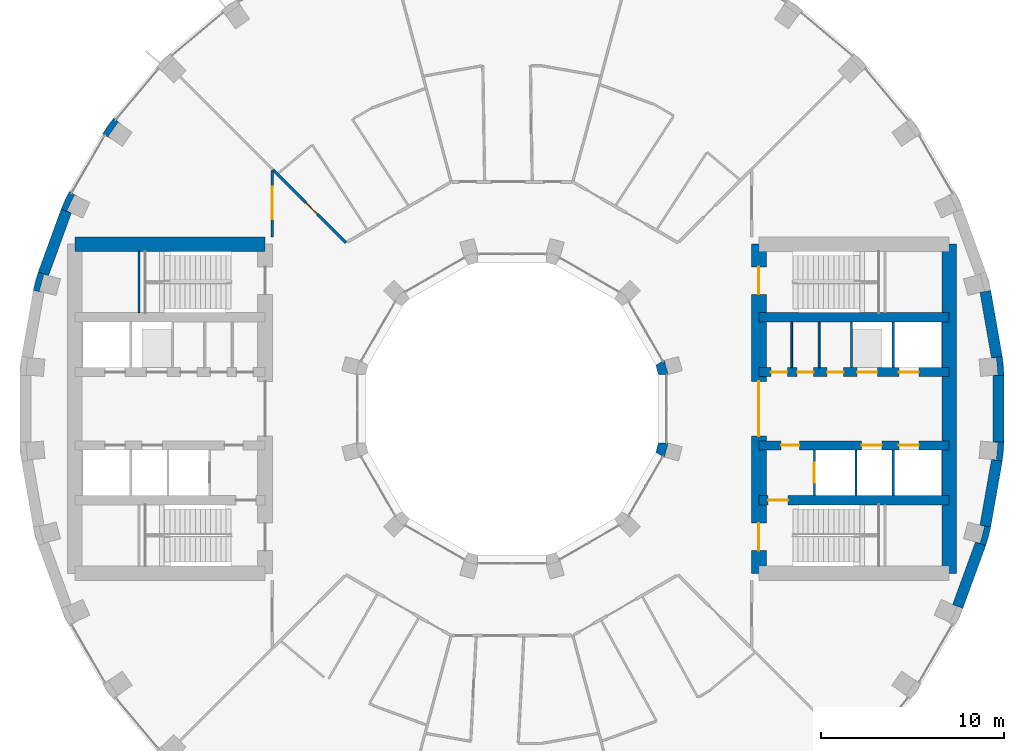
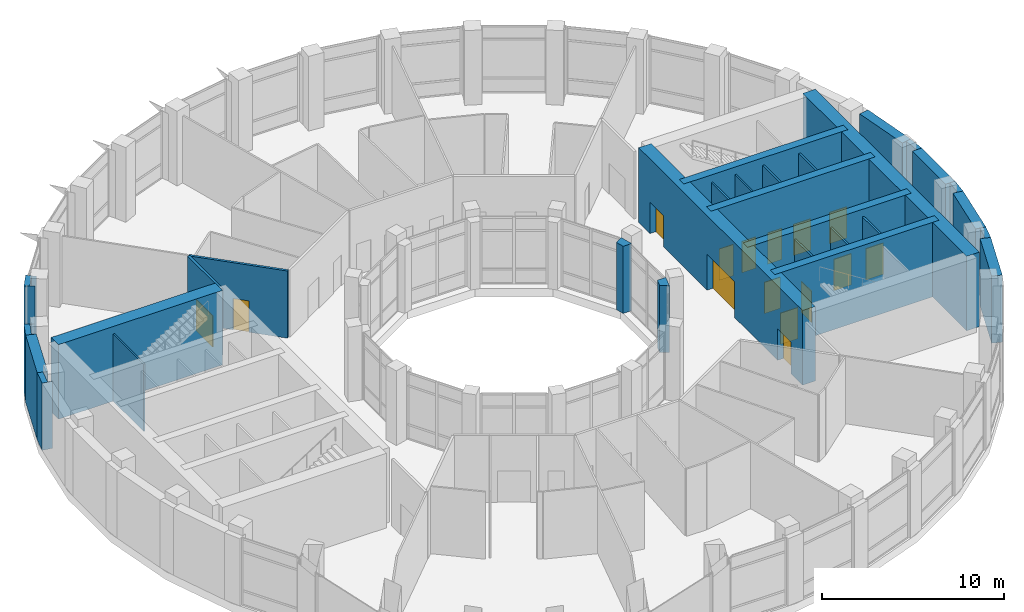
# One storey, part 14 of 18: 30 walls, 15 doors, 15 openings.
"""IFC4 building model written with IfcOpenShell, lengths in metres."""

from ifc_helpers import new_model, si_unit, direction, frame, frame_2d, origin, place, context, subcontext, project, spatial, polyline, rectangle, outline, extrude, material, layer, layer_set, type_object, element, fill, save


model = new_model("IFC4")

# Units and contexts
model_context = context("Model", 3, precision=1e-05, world=origin(), true_north=direction((0.0, 1.0)))
body_context = subcontext(model_context, "Body", "Model", "MODEL_VIEW")
ifc_project = project(units=[si_unit("LENGTHUNIT", "METRE"), si_unit("AREAUNIT", "SQUARE_METRE"), si_unit("VOLUMEUNIT", "CUBIC_METRE"), si_unit("PLANEANGLEUNIT", "RADIAN"), si_unit("MASSUNIT", "GRAM", prefix="KILO")], contexts=[model_context])

# Site, building, storey
site_placement = place(None, origin())
site = spatial("IfcSite", under=ifc_project, at=site_placement, CompositionType="ELEMENT")
building_placement = place(site_placement, origin())
building = spatial("IfcBuilding", under=site, at=building_placement, Name="Saqina Gate Tower", CompositionType="ELEMENT")
storey_placement = place(building_placement, frame((0.0, 0.0, 86.89990234375)))
storey = spatial("IfcBuildingStorey", under=building, at=storey_placement, Name="L24", CompositionType="ELEMENT", Elevation=86.89990234375)

# Walls
ifc_material_1 = material(Name="Brick masonry (buff)", Category="masonry")
wall_type_1 = type_object("IfcWallType", Name="BRICK PIER COPING BUFF", PredefinedType="SOLIDWALL", material=ifc_material_1)
wall_1_placement = place(storey_placement, origin())
element("IfcWall", 1, at=wall_1_placement, inside=storey, type_object=wall_type_1, Name="Pier cap L24 column 1", PredefinedType="SOLIDWALL", context=body_context, shape_type="SweptSolid", body=[
    extrude(outline(polyline([(26.805419921875, 2.87451171875), (26.214599609375, 2.770263671875), (26.482421875, 2.793701171875), (26.565185546875, 1.847412109375), (26.29736328125, 1.823974609375), (26.897216796875, 1.823974609375), (26.805419921875, 2.87451171875)])), origin(), (0.0, 0.0, 1.0), 4.5),
])
wall_2_placement = place(storey_placement, origin())
element("IfcWall", 2, at=wall_2_placement, inside=storey, type_object=wall_type_1, Name="Pier cap L24 column 15", PredefinedType="SOLIDWALL", context=body_context, shape_type="SweptSolid", body=[
    extrude(outline(polyline([(-22.3818359375, 15.0283203125), (-21.862060546875, 14.728271484375), (-22.08251953125, 14.88232421875), (-21.53759765625, 15.66064453125), (-21.317138671875, 15.50634765625), (-21.77685546875, 15.89208984375), (-22.3818359375, 15.0283203125)])), origin(), (0.0, 0.0, 1.0), 4.5),
])
wall_3_placement = place(storey_placement, origin())
element("IfcWall", 3, at=wall_3_placement, inside=storey, type_object=wall_type_1, Name="Pier cap L24 column 16", PredefinedType="SOLIDWALL", context=body_context, shape_type="SweptSolid", body=[
    extrude(outline(polyline([(-24.6513671875, 10.913330078125), (-24.08740234375, 10.7080078125), (-24.331298828125, 10.82177734375), (-23.9296875, 11.6826171875), (-23.68603515625, 11.569091796875), (-24.205810546875, 11.869140625), (-24.6513671875, 10.913330078125)])), origin(), (0.0, 0.0, 1.0), 4.5),
])
wall_4_placement = place(storey_placement, origin())
element("IfcWall", 4, at=wall_4_placement, inside=storey, type_object=wall_type_1, Name="Pier cap L24 column 17", PredefinedType="SOLIDWALL", context=body_context, shape_type="SweptSolid", body=[
    extrude(outline(polyline([(-25.89892578125, 7.485595703125), (-26.171875, 6.466796875), (-25.5810546875, 6.36279296875), (-25.8408203125, 6.43212890625), (-25.5947265625, 7.349853515625), (-25.335205078125, 7.2802734375), (-25.89892578125, 7.485595703125)])), origin(), (0.0, 0.0, 1.0), 4.5),
])
wall_5_placement = place(storey_placement, origin())
element("IfcWall", 5, at=wall_5_placement, inside=storey, type_object=wall_type_1, Name="Pier cap L24 column 35", PredefinedType="SOLIDWALL", context=body_context, shape_type="SweptSolid", body=[
    extrude(outline(polyline([(25.89892578125, -7.485595703125), (26.171875, -6.466796875), (25.5810546875, -6.36279296875), (25.8408203125, -6.43212890625), (25.5947265625, -7.349853515625), (25.335205078125, -7.2802734375), (25.89892578125, -7.485595703125)])), origin(), (0.0, 0.0, 1.0), 4.5),
])
wall_6_placement = place(storey_placement, origin())
element("IfcWall", 6, at=wall_6_placement, inside=storey, type_object=wall_type_1, Name="Pier cap L24 column 36", PredefinedType="SOLIDWALL", context=body_context, shape_type="SweptSolid", body=[
    extrude(outline(polyline([(26.805419921875, -2.87451171875), (26.897216796875, -1.823974609375), (26.29736328125, -1.823974609375), (26.565185546875, -1.847412109375), (26.482421875, -2.793701171875), (26.214599609375, -2.770263671875), (26.805419921875, -2.87451171875)])), origin(), (0.0, 0.0, 1.0), 4.5),
])
ifc_material_2 = material(Name="Gypsum board on steel studs", Category="steel")
ifc_layer_1 = layer(ifc_material_2, 0.10009765625)
ifc_layer_set_1 = layer_set([ifc_layer_1], Name="CORE PARTITION")
wall_type_2 = type_object("IfcWallType", Name="CORE PARTITION", PredefinedType="PARTITIONING", material=ifc_layer_set_1)
for number, where, z_axis, x_axis, name in (
    (7, (15.298095703125, 2.25, 0.0), (0.0, 0.0, 1.0), (0.0, 1.0, 0.0), "L24-CP-E01"),
    (8, (16.789306640625, 2.25, 0.0), (0.0, 0.0, 1.0), (0.0, 1.0, 0.0), "L24-CP-E02"),
):
    element("IfcWall", number, at=place(storey_placement, frame(where, z_axis=z_axis, x_axis=x_axis)), inside=storey, type_object=wall_type_2, Name=name, PredefinedType="PARTITIONING", context=body_context, shape_type="SweptSolid", body=[
        extrude(rectangle(XDim=2.5, YDim=0.10009765625, at=frame_2d((1.25, 0.0))), origin(), (0.0, 0.0, 1.0), 4.5),
    ])
ifc_material_3 = material(Name="Glazed ceramic tile", Category="ceramic")
ifc_layer_2 = layer(ifc_material_3, 0.60009765625)
ifc_layer_set_2 = layer_set([ifc_layer_2], Name="FW-TILE")
wall_type_3 = type_object("IfcWallType", Name="FW-TILE", PredefinedType="SOLIDWALL", material=ifc_layer_set_2)
for number, where, z_axis, x_axis, name in (
    (9, (26.510009765625, 2.822265625, 0.0), (0.0, 0.0, 1.0), (-0.173670796382, 0.984803764455, 0.0), "Facade wall L24 facet 1"),
    (10, (25.87646484375, -6.414794921875, 0.0), (0.0, 0.0, 1.0), (0.173670796382, 0.984803764455, 0.0), "Facade wall L24 facet 35"),
):
    element("IfcWall", number, at=place(storey_placement, frame(where, z_axis=z_axis, x_axis=x_axis)), inside=storey, type_object=wall_type_3, Name=name, PredefinedType="SOLIDWALL", context=body_context, shape_type="SweptSolid", body=[
        extrude(rectangle(XDim=3.64794921875, YDim=0.60009765625, at=frame_2d((1.823974609375, 0.0))), origin(), (0.0, 0.0, 1.0), 4.5),
    ])
ifc_material_4 = material(Name="Glazed ceramic tile (dark blue)", Category="ceramic")
ifc_layer_3 = layer(ifc_material_4, 0.60009765625)
ifc_layer_set_3 = layer_set([ifc_layer_3], Name="FW-TILE-CB")
wall_type_4 = type_object("IfcWallType", Name="FW-TILE-CB", PredefinedType="SOLIDWALL", material=ifc_layer_set_3)
wall_7_placement = place(storey_placement, frame((24.369384765625, -10.810791015625, 0.0), z_axis=(0.0, 0.0, 1.0), x_axis=(0.341990236633, 0.939703505393, 0.0)))
element("IfcWall", 11, at=wall_7_placement, inside=storey, type_object=wall_type_4, Name="Facade wall L24 facet 34", PredefinedType="SOLIDWALL", context=body_context, shape_type="SweptSolid", body=[
    extrude(rectangle(XDim=3.64794921875, YDim=0.60009765625, at=frame_2d((1.823974609375, 0.0))), origin(), (0.0, 0.0, 1.0), 4.5),
])
ifc_material_5 = material(Name="Glazed ceramic tile (white)", Category="ceramic")
ifc_layer_4 = layer(ifc_material_5, 0.60009765625)
ifc_layer_set_4 = layer_set([ifc_layer_4], Name="FW-TILE-WH")
wall_type_5 = type_object("IfcWallType", Name="FW-TILE-WH", PredefinedType="SOLIDWALL", material=ifc_layer_set_4)
for number, where, z_axis, x_axis, name in (
    (12, (-24.369384765625, 10.810791015625, 0.0), (0.0, 0.0, 1.0), (-0.341990236633, -0.939703505393, 0.0), "Facade wall L24 facet 16"),
    (13, (26.59716796875, -1.823974609375, 0.0), (0.0, 0.0, 1.0), (0.0, 1.0, 0.0), "Facade wall L24 facet 36"),
):
    element("IfcWall", number, at=place(storey_placement, frame(where, z_axis=z_axis, x_axis=x_axis)), inside=storey, type_object=wall_type_5, Name=name, PredefinedType="SOLIDWALL", context=body_context, shape_type="SweptSolid", body=[
        extrude(rectangle(XDim=3.64794921875, YDim=0.60009765625, at=frame_2d((1.823974609375, 0.0))), origin(), (0.0, 0.0, 1.0), 4.5),
    ])
ifc_material_6 = material(Name="Autoclaved aerated concrete block", Category="concrete")
ifc_layer_5 = layer(ifc_material_6, 0.1201171875)
ifc_layer_set_5 = layer_set([ifc_layer_5], Name="SHAFT PARTITION")
wall_type_6 = type_object("IfcWallType", Name="SHAFT PARTITION", PredefinedType="PARTITIONING", material=ifc_layer_set_5)
for number, where, z_axis, x_axis, name in (
    (14, (18.56005859375, 2.25, 0.0), (0.0, 0.0, 1.0), (0.0, 1.0, 0.0), "L24-CP-E03"),
    (15, (20.840087890625, 2.25, 0.0), (0.0, 0.0, 1.0), (0.0, 1.0, 0.0), "L24-CP-E04"),
):
    element("IfcWall", number, at=place(storey_placement, frame(where, z_axis=z_axis, x_axis=x_axis)), inside=storey, type_object=wall_type_6, Name=name, PredefinedType="PARTITIONING", context=body_context, shape_type="SweptSolid", body=[
        extrude(rectangle(XDim=2.5, YDim=0.1201171875, at=frame_2d((1.25, 0.0))), origin(), (0.0, 0.0, 1.0), 4.5),
    ])

# Wall, opening, door
wall_8_placement = place(storey_placement, frame((16.530029296875, -4.75, 0.0), z_axis=(0.0, 0.0, 1.0), x_axis=(0.0, 1.0, 0.0)))
wall_8 = element("IfcWall", 16, at=wall_8_placement, inside=storey, type_object=wall_type_6, Name="L24-CP-E05", PredefinedType="PARTITIONING", context=body_context, shape_type="SweptSolid", body=[
    extrude(rectangle(XDim=2.5, YDim=0.1201171875, at=frame_2d((1.25, 0.0))), origin(), (0.0, 0.0, 1.0), 4.5),
])
opening_1_placement = place(wall_8_placement, frame((0.699951171875, 0.0, 0.0)))
opening_1 = element("IfcOpeningElement", 17, at=opening_1_placement, cuts=wall_8, Name="Opening L24-LD3", PredefinedType="OPENING", context=body_context, shape_type="SweptSolid", body=[
    extrude(rectangle(XDim=1.10009765625, YDim=2.10009765625, at=frame_2d((0.550048828125, 1.050048828125))), frame((0.0, 0.072021484375, 0.0), z_axis=(0.0, -1.0, 0.0), x_axis=(1.0, 0.0, 0.0)), (0.0, 0.0, 1.0), 0.14404296875),
])
ifc_material_7 = material(Name="Stainless steel", Category="steel")
door_type_1 = type_object("IfcDoorType", Name="LANDING DOOR", OperationType="DOUBLE_DOOR_SLIDING", PredefinedType="DOOR", material=ifc_material_7)
door_1_placement = place(opening_1_placement, origin())
door_1 = element("IfcDoor", 18, at=door_1_placement, inside=storey, type_object=door_type_1, Name="LANDING DOOR FF1", OperationType="DOUBLE_DOOR_SLIDING", OverallHeight=2.10009765625, OverallWidth=1.10009765625, PredefinedType="DOOR", context=body_context, shape_type="SweptSolid", body=[
    extrude(rectangle(XDim=1.10009765625, YDim=2.10009765625, at=frame_2d((0.550048828125, 1.050048828125))), frame((0.0, 0.02490234375, 0.0), z_axis=(0.0, -1.0, 0.0), x_axis=(1.0, 0.0, 0.0)), (0.0, 0.0, 1.0), 0.050048828125),
])
fill(opening_1, door_1)

# Walls
for number, where, z_axis, x_axis, name in (
    (19, (18.81005859375, -4.75, 0.0), (0.0, 0.0, 1.0), (0.0, 1.0, 0.0), "L24-CP-E06"),
    (20, (20.840087890625, -4.75, 0.0), (0.0, 0.0, 1.0), (0.0, 1.0, 0.0), "L24-CP-E07"),
):
    element("IfcWall", number, at=place(storey_placement, frame(where, z_axis=z_axis, x_axis=x_axis)), inside=storey, type_object=wall_type_6, Name=name, PredefinedType="PARTITIONING", context=body_context, shape_type="SweptSolid", body=[
        extrude(rectangle(XDim=2.5, YDim=0.1201171875, at=frame_2d((1.25, 0.0))), origin(), (0.0, 0.0, 1.0), 4.5),
    ])

# Wall, opening, door
ifc_material_8 = material(Name="Gypsum board on steel studs, 150 mm, fire rated", Category="steel")
ifc_layer_6 = layer(ifc_material_8, 0.14990234375)
ifc_layer_set_6 = layer_set([ifc_layer_6], Name="SPECIAL PARTITION EI 30 150")
wall_type_7 = type_object("IfcWallType", Name="SPECIAL PARTITION EI 30 150", PredefinedType="PARTITIONING", material=ifc_layer_set_6)
wall_9_placement = place(storey_placement, frame((-13.064697265625, 13.064697265625, 0.0), z_axis=(0.0, 0.0, 1.0), x_axis=(0.707106781187, -0.707106781187, 0.0)))
wall_9 = element("IfcWall", 21, at=wall_9_placement, inside=storey, type_object=wall_type_7, Name="PARTITION 011", PredefinedType="PARTITIONING", context=body_context, shape_type="SweptSolid", body=[
    extrude(rectangle(XDim=5.6396484375, YDim=0.14990234375, at=frame_2d((2.81982421875, 0.0))), origin(), (0.0, 0.0, 1.0), 4.5),
])
opening_2_placement = place(wall_9_placement, frame((2.537109375, 0.0, 0.0)))
opening_2 = element("IfcOpeningElement", 22, at=opening_2_placement, cuts=wall_9, Name="Opening L24-D11", PredefinedType="OPENING", context=body_context, shape_type="SweptSolid", body=[
    extrude(rectangle(XDim=0.89990234375, YDim=2.10009765625, at=frame_2d((0.449951171875, 1.050048828125))), frame((0.0, 0.0869140625, 0.0), z_axis=(0.0, -1.0, 0.0), x_axis=(1.0, 0.0, 0.0)), (0.0, 0.0, 1.0), 0.173828125),
])
ifc_material_9 = material(Name="Steel-framed fire door leaf, EI 30", Category="steel")
door_type_2 = type_object("IfcDoorType", Name="SPECIAL DOOR 900 FIRE EI 30", OperationType="SINGLE_SWING_LEFT", PredefinedType="DOOR", material=ifc_material_9)
door_2_placement = place(opening_2_placement, origin())
door_2 = element("IfcDoor", 23, at=door_2_placement, inside=storey, type_object=door_type_2, Name="DOOR L24-D11", OperationType="SINGLE_SWING_RIGHT", OverallHeight=2.10009765625, OverallWidth=0.89990234375, PredefinedType="DOOR", context=body_context, shape_type="SweptSolid", body=[
    extrude(rectangle(XDim=0.89990234375, YDim=2.10009765625, at=frame_2d((0.449951171875, 1.050048828125))), frame((0.0, 0.02490234375, 0.0), z_axis=(0.0, -1.0, 0.0), x_axis=(1.0, 0.0, 0.0)), (0.0, 0.0, 1.0), 0.050048828125),
])
fill(opening_2, door_2)

wall_10_placement = place(storey_placement, frame((-13.10009765625, 9.39990234375, 0.0), z_axis=(0.0, 0.0, 1.0), x_axis=(0.0, 1.0, 0.0)))
wall_10 = element("IfcWall", 24, at=wall_10_placement, inside=storey, type_object=wall_type_7, Name="PARTITION 052", PredefinedType="PARTITIONING", context=body_context, shape_type="SweptSolid", body=[
    extrude(rectangle(XDim=3.625, YDim=0.14990234375, at=frame_2d((1.8125, 0.0))), origin(), (0.0, 0.0, 1.0), 4.5),
])
opening_3_placement = place(wall_10_placement, frame((0.949951171875, 0.0, 0.0)))
opening_3 = element("IfcOpeningElement", 25, at=opening_3_placement, cuts=wall_10, Name="Opening L24-D12", PredefinedType="OPENING", context=body_context, shape_type="SweptSolid", body=[
    extrude(rectangle(XDim=1.800048828125, YDim=2.10009765625, at=frame_2d((0.89990234375, 1.050048828125))), frame((0.0, 0.0869140625, 0.0), z_axis=(0.0, -1.0, 0.0), x_axis=(1.0, 0.0, 0.0)), (0.0, 0.0, 1.0), 0.173828125),
])
ifc_material_10 = material(Name="Steel-framed fire door leaf, EI 30", Category="steel")
door_type_3 = type_object("IfcDoorType", Name="SPECIAL DOUBLE DOOR 1800 FIRE EI 30", OperationType="DOUBLE_DOOR_SINGLE_SWING", PredefinedType="DOOR", material=ifc_material_10)
door_3_placement = place(opening_3_placement, origin())
door_3 = element("IfcDoor", 26, at=door_3_placement, inside=storey, type_object=door_type_3, Name="DOOR L24-D12", OperationType="DOUBLE_DOOR_SINGLE_SWING", OverallHeight=2.10009765625, OverallWidth=1.800048828125, PredefinedType="DOOR", context=body_context, shape_type="SweptSolid", body=[
    extrude(rectangle(XDim=1.800048828125, YDim=2.10009765625, at=frame_2d((0.89990234375, 1.050048828125))), frame((0.0, 0.02490234375, 0.0), z_axis=(0.0, -1.0, 0.0), x_axis=(1.0, 0.0, 0.0)), (0.0, 0.0, 1.0), 0.050048828125),
])
fill(opening_3, door_3)

# Walls
ifc_material_11 = material(Name="Autoclaved aerated concrete block", Category="concrete")
ifc_layer_7 = layer(ifc_material_11, 0.10009765625)
ifc_layer_set_7 = layer_set([ifc_layer_7], Name="STAIR ENCLOSURE WALL")
wall_type_8 = type_object("IfcWallType", Name="STAIR ENCLOSURE WALL", PredefinedType="PARTITIONING", material=ifc_layer_set_7)
wall_11_placement = place(storey_placement, frame((-20.389892578125, 5.25, 0.0), z_axis=(0.0, 0.0, 1.0), x_axis=(0.0, 1.0, 0.0)))
element("IfcWall", 27, at=wall_11_placement, inside=storey, type_object=wall_type_8, Name="L24-CP-W08", PredefinedType="PARTITIONING", context=body_context, shape_type="SweptSolid", body=[
    extrude(rectangle(XDim=3.35009765625, YDim=0.10009765625, at=frame_2d((1.675048828125, 0.0))), origin(), (0.0, 0.0, 1.0), 4.5),
])
ifc_material_12 = material(Name="Concrete C70/85", Category="concrete")
ifc_layer_8 = layer(ifc_material_12, 0.5)
ifc_layer_set_8 = layer_set([ifc_layer_8], Name="Concrete C70/85")
wall_type_9 = type_object("IfcWallType", Name="STR-CORE WALL-B-I", PredefinedType="SHEAR", material=ifc_layer_set_8)
wall_12_placement = place(storey_placement, frame((13.5, 5.0, 0.0), z_axis=(0.0, 0.0, 1.0), x_axis=(1.0, 0.0, 0.0)))
element("IfcWall", 28, at=wall_12_placement, inside=storey, type_object=wall_type_9, Name="CORE WALL L24 E-X1", PredefinedType="SHEAR", context=body_context, shape_type="SweptSolid", body=[
    extrude(rectangle(XDim=10.39990234375, YDim=0.5, at=frame_2d((5.199951171875, 0.0))), origin(), (0.0, 0.0, 1.0), 5.0),
])

# Wall, opening, door
wall_13_placement = place(storey_placement, frame((13.5, -5.0, 0.0), z_axis=(0.0, 0.0, 1.0), x_axis=(1.0, 0.0, 0.0)))
wall_13 = element("IfcWall", 29, at=wall_13_placement, inside=storey, type_object=wall_type_9, Name="CORE WALL L24 E-X2", PredefinedType="SHEAR", context=body_context, shape_type="SweptSolid", body=[
    extrude(rectangle(XDim=10.39990234375, YDim=0.5, at=frame_2d((5.199951171875, 0.0))), origin(), (0.0, 0.0, 1.0), 5.0),
])
opening_4_placement = place(wall_13_placement, frame((0.5, 0.0, 0.0)))
opening_4 = element("IfcOpeningElement", 30, at=opening_4_placement, cuts=wall_13, Name="Opening L24-D94", PredefinedType="OPENING", context=body_context, shape_type="SweptSolid", body=[
    extrude(rectangle(XDim=1.10009765625, YDim=2.10009765625, at=frame_2d((0.550048828125, 1.050048828125))), frame((0.0, 0.261962890625, 0.0), z_axis=(0.0, -1.0, 0.0), x_axis=(1.0, 0.0, 0.0)), (0.0, 0.0, 1.0), 0.52392578125),
])
ifc_material_13 = material(Name="Steel", Category="steel")
door_type_4 = type_object("IfcDoorType", Name="FIRE LOBBY DOOR EI 60 WIDE", OperationType="SINGLE_SWING_LEFT", PredefinedType="DOOR", material=ifc_material_13)
door_4_placement = place(opening_4_placement, frame((1.10009765625, 0.0, 0.0), z_axis=(0.0, 0.0, 1.0), x_axis=(-1.0, 0.0, 0.0)))
door_4 = element("IfcDoor", 31, at=door_4_placement, inside=storey, type_object=door_type_4, Name="L24-CD-E05", OperationType="SINGLE_SWING_RIGHT", OverallHeight=2.10009765625, OverallWidth=1.10009765625, PredefinedType="DOOR", context=body_context, shape_type="SweptSolid", body=[
    extrude(rectangle(XDim=1.10009765625, YDim=2.10009765625, at=frame_2d((0.550048828125, 1.050048828125))), frame((0.0, 0.02490234375, 0.0), z_axis=(0.0, -1.0, 0.0), x_axis=(1.0, 0.0, 0.0)), (0.0, 0.0, 1.0), 0.050048828125),
])
fill(opening_4, door_4)

# Wall, openings, doors
wall_14_placement = place(storey_placement, frame((13.5, 2.0, 0.0), z_axis=(0.0, 0.0, 1.0), x_axis=(1.0, 0.0, 0.0)))
wall_14 = element("IfcWall", 32, at=wall_14_placement, inside=storey, type_object=wall_type_9, Name="CORE WALL L24 E-L1", PredefinedType="SHEAR", context=body_context, shape_type="SweptSolid", body=[
    extrude(rectangle(XDim=10.39990234375, YDim=0.5, at=frame_2d((5.199951171875, 0.0))), origin(), (0.0, 0.0, 1.0), 5.0),
])
opening_5_placement = place(wall_14_placement, frame((5.3701171875, 0.0, 0.0)))
opening_5 = element("IfcOpeningElement", 33, at=opening_5_placement, cuts=wall_14, Name="Opening L24-LD1", PredefinedType="OPENING", context=body_context, shape_type="SweptSolid", body=[
    extrude(rectangle(XDim=1.10009765625, YDim=2.10009765625, at=frame_2d((0.550048828125, 1.050048828125))), frame((0.0, 0.261962890625, 0.0), z_axis=(0.0, -1.0, 0.0), x_axis=(1.0, 0.0, 0.0)), (0.0, 0.0, 1.0), 0.52392578125),
])
opening_6_placement = place(wall_14_placement, frame((7.64990234375, 0.0, 0.0)))
opening_6 = element("IfcOpeningElement", 34, at=opening_6_placement, cuts=wall_14, Name="Opening L24-LD2", PredefinedType="OPENING", context=body_context, shape_type="SweptSolid", body=[
    extrude(rectangle(XDim=1.10009765625, YDim=2.10009765625, at=frame_2d((0.550048828125, 1.050048828125))), frame((0.0, 0.261962890625, 0.0), z_axis=(0.0, -1.0, 0.0), x_axis=(1.0, 0.0, 0.0)), (0.0, 0.0, 1.0), 0.52392578125),
])
opening_7_placement = place(wall_14_placement, frame((0.64892578125, 0.0, 0.0)))
opening_7 = element("IfcOpeningElement", 35, at=opening_7_placement, cuts=wall_14, Name="Opening L24-D90", PredefinedType="OPENING", context=body_context, shape_type="SweptSolid", body=[
    extrude(rectangle(XDim=0.89990234375, YDim=2.10009765625, at=frame_2d((0.449951171875, 1.050048828125))), frame((0.0, 0.261962890625, 0.0), z_axis=(0.0, -1.0, 0.0), x_axis=(1.0, 0.0, 0.0)), (0.0, 0.0, 1.0), 0.52392578125),
])
opening_8_placement = place(wall_14_placement, frame((2.093505859375, 0.0, 0.0)))
opening_8 = element("IfcOpeningElement", 36, at=opening_8_placement, cuts=wall_14, Name="Opening L24-D91", PredefinedType="OPENING", context=body_context, shape_type="SweptSolid", body=[
    extrude(rectangle(XDim=0.89990234375, YDim=2.10009765625, at=frame_2d((0.449951171875, 1.050048828125))), frame((0.0, 0.261962890625, 0.0), z_axis=(0.0, -1.0, 0.0), x_axis=(1.0, 0.0, 0.0)), (0.0, 0.0, 1.0), 0.52392578125),
])
opening_9_placement = place(wall_14_placement, frame((3.724609375, 0.0, 0.0)))
opening_9 = element("IfcOpeningElement", 37, at=opening_9_placement, cuts=wall_14, Name="Opening L24-D92", PredefinedType="OPENING", context=body_context, shape_type="SweptSolid", body=[
    extrude(rectangle(XDim=0.89990234375, YDim=2.10009765625, at=frame_2d((0.449951171875, 1.050048828125))), frame((0.0, 0.261962890625, 0.0), z_axis=(0.0, -1.0, 0.0), x_axis=(1.0, 0.0, 0.0)), (0.0, 0.0, 1.0), 0.52392578125),
])
door_5_placement = place(opening_5_placement, origin())
door_5 = element("IfcDoor", 38, at=door_5_placement, inside=storey, type_object=door_type_1, Name="LANDING DOOR MR1", OperationType="DOUBLE_DOOR_SLIDING", OverallHeight=2.10009765625, OverallWidth=1.10009765625, PredefinedType="DOOR", context=body_context, shape_type="SweptSolid", body=[
    extrude(rectangle(XDim=1.10009765625, YDim=2.10009765625, at=frame_2d((0.550048828125, 1.050048828125))), frame((0.0, 0.02490234375, 0.0), z_axis=(0.0, -1.0, 0.0), x_axis=(1.0, 0.0, 0.0)), (0.0, 0.0, 1.0), 0.050048828125),
])
fill(opening_5, door_5)
door_6_placement = place(opening_6_placement, origin())
door_6 = element("IfcDoor", 39, at=door_6_placement, inside=storey, type_object=door_type_1, Name="LANDING DOOR LR1", OperationType="DOUBLE_DOOR_SLIDING", OverallHeight=2.10009765625, OverallWidth=1.10009765625, PredefinedType="DOOR", context=body_context, shape_type="SweptSolid", body=[
    extrude(rectangle(XDim=1.10009765625, YDim=2.10009765625, at=frame_2d((0.550048828125, 1.050048828125))), frame((0.0, 0.02490234375, 0.0), z_axis=(0.0, -1.0, 0.0), x_axis=(1.0, 0.0, 0.0)), (0.0, 0.0, 1.0), 0.050048828125),
])
fill(opening_6, door_6)
ifc_material_14 = material(Name="Steel-framed fire door leaf, EI 60", Category="steel")
door_type_5 = type_object("IfcDoorType", Name="SERVICE ROOM DOOR 900", OperationType="SINGLE_SWING_LEFT", PredefinedType="DOOR", material=ifc_material_14)
door_7_placement = place(opening_7_placement, origin())
door_7 = element("IfcDoor", 40, at=door_7_placement, inside=storey, type_object=door_type_5, Name="L24-CD-E01", OperationType="SINGLE_SWING_LEFT", OverallHeight=2.10009765625, OverallWidth=0.89990234375, PredefinedType="DOOR", context=body_context, shape_type="SweptSolid", body=[
    extrude(rectangle(XDim=0.89990234375, YDim=2.10009765625, at=frame_2d((0.449951171875, 1.050048828125))), frame((0.0, 0.02490234375, 0.0), z_axis=(0.0, -1.0, 0.0), x_axis=(1.0, 0.0, 0.0)), (0.0, 0.0, 1.0), 0.050048828125),
])
fill(opening_7, door_7)
door_8_placement = place(opening_8_placement, origin())
door_8 = element("IfcDoor", 41, at=door_8_placement, inside=storey, type_object=door_type_5, Name="L24-CD-E02", OperationType="SINGLE_SWING_LEFT", OverallHeight=2.10009765625, OverallWidth=0.89990234375, PredefinedType="DOOR", context=body_context, shape_type="SweptSolid", body=[
    extrude(rectangle(XDim=0.89990234375, YDim=2.10009765625, at=frame_2d((0.449951171875, 1.050048828125))), frame((0.0, 0.02490234375, 0.0), z_axis=(0.0, -1.0, 0.0), x_axis=(1.0, 0.0, 0.0)), (0.0, 0.0, 1.0), 0.050048828125),
])
fill(opening_8, door_8)
door_9_placement = place(opening_9_placement, origin())
door_9 = element("IfcDoor", 42, at=door_9_placement, inside=storey, type_object=door_type_5, Name="L24-CD-E03", OperationType="SINGLE_SWING_RIGHT", OverallHeight=2.10009765625, OverallWidth=0.89990234375, PredefinedType="DOOR", context=body_context, shape_type="SweptSolid", body=[
    extrude(rectangle(XDim=0.89990234375, YDim=2.10009765625, at=frame_2d((0.449951171875, 1.050048828125))), frame((0.0, 0.02490234375, 0.0), z_axis=(0.0, -1.0, 0.0), x_axis=(1.0, 0.0, 0.0)), (0.0, 0.0, 1.0), 0.050048828125),
])
fill(opening_9, door_9)

wall_15_placement = place(storey_placement, frame((13.5, -2.0, 0.0), z_axis=(0.0, 0.0, 1.0), x_axis=(1.0, 0.0, 0.0)))
wall_15 = element("IfcWall", 43, at=wall_15_placement, inside=storey, type_object=wall_type_9, Name="CORE WALL L24 E-L2", PredefinedType="SHEAR", context=body_context, shape_type="SweptSolid", body=[
    extrude(rectangle(XDim=10.39990234375, YDim=0.5, at=frame_2d((5.199951171875, 0.0))), origin(), (0.0, 0.0, 1.0), 5.0),
])
opening_10_placement = place(wall_15_placement, frame((5.6201171875, 0.0, 0.0)))
opening_10 = element("IfcOpeningElement", 44, at=opening_10_placement, cuts=wall_15, Name="Opening L24-LD4", PredefinedType="OPENING", context=body_context, shape_type="SweptSolid", body=[
    extrude(rectangle(XDim=1.10009765625, YDim=2.10009765625, at=frame_2d((0.550048828125, 1.050048828125))), frame((0.0, 0.261962890625, 0.0), z_axis=(0.0, -1.0, 0.0), x_axis=(1.0, 0.0, 0.0)), (0.0, 0.0, 1.0), 0.52392578125),
])
opening_11_placement = place(wall_15_placement, frame((7.64990234375, 0.0, 0.0)))
opening_11 = element("IfcOpeningElement", 45, at=opening_11_placement, cuts=wall_15, Name="Opening L24-LD5", PredefinedType="OPENING", context=body_context, shape_type="SweptSolid", body=[
    extrude(rectangle(XDim=1.10009765625, YDim=2.10009765625, at=frame_2d((0.550048828125, 1.050048828125))), frame((0.0, 0.261962890625, 0.0), z_axis=(0.0, -1.0, 0.0), x_axis=(1.0, 0.0, 0.0)), (0.0, 0.0, 1.0), 0.52392578125),
])
opening_12_placement = place(wall_15_placement, frame((1.215087890625, 0.0, 0.0)))
opening_12 = element("IfcOpeningElement", 46, at=opening_12_placement, cuts=wall_15, Name="Opening L24-D93", PredefinedType="OPENING", context=body_context, shape_type="SweptSolid", body=[
    extrude(rectangle(XDim=1.0, YDim=2.10009765625, at=frame_2d((0.5, 1.050048828125))), frame((0.0, 0.261962890625, 0.0), z_axis=(0.0, -1.0, 0.0), x_axis=(1.0, 0.0, 0.0)), (0.0, 0.0, 1.0), 0.52392578125),
])
ifc_material_15 = material(Name="Steel", Category="steel")
door_type_6 = type_object("IfcDoorType", Name="FIRE LOBBY DOOR EI 60", OperationType="SINGLE_SWING_LEFT", PredefinedType="DOOR", material=ifc_material_15)
door_10_placement = place(opening_12_placement, origin())
door_10 = element("IfcDoor", 47, at=door_10_placement, inside=storey, type_object=door_type_6, Name="L24-CD-E04", OperationType="SINGLE_SWING_LEFT", OverallHeight=2.10009765625, OverallWidth=1.0, PredefinedType="DOOR", context=body_context, shape_type="SweptSolid", body=[
    extrude(rectangle(XDim=1.0, YDim=2.10009765625, at=frame_2d((0.5, 1.050048828125))), frame((0.0, 0.02490234375, 0.0), z_axis=(0.0, -1.0, 0.0), x_axis=(1.0, 0.0, 0.0)), (0.0, 0.0, 1.0), 0.050048828125),
])
fill(opening_12, door_10)
door_11_placement = place(opening_10_placement, origin())
door_11 = element("IfcDoor", 48, at=door_11_placement, inside=storey, type_object=door_type_1, Name="LANDING DOOR LR3", OperationType="DOUBLE_DOOR_SLIDING", OverallHeight=2.10009765625, OverallWidth=1.10009765625, PredefinedType="DOOR", context=body_context, shape_type="SweptSolid", body=[
    extrude(rectangle(XDim=1.10009765625, YDim=2.10009765625, at=frame_2d((0.550048828125, 1.050048828125))), frame((0.0, 0.02490234375, 0.0), z_axis=(0.0, -1.0, 0.0), x_axis=(1.0, 0.0, 0.0)), (0.0, 0.0, 1.0), 0.050048828125),
])
fill(opening_10, door_11)
door_12_placement = place(opening_11_placement, origin())
door_12 = element("IfcDoor", 49, at=door_12_placement, inside=storey, type_object=door_type_1, Name="LANDING DOOR LR2", OperationType="DOUBLE_DOOR_SLIDING", OverallHeight=2.10009765625, OverallWidth=1.10009765625, PredefinedType="DOOR", context=body_context, shape_type="SweptSolid", body=[
    extrude(rectangle(XDim=1.10009765625, YDim=2.10009765625, at=frame_2d((0.550048828125, 1.050048828125))), frame((0.0, 0.02490234375, 0.0), z_axis=(0.0, -1.0, 0.0), x_axis=(1.0, 0.0, 0.0)), (0.0, 0.0, 1.0), 0.050048828125),
])
fill(opening_11, door_12)

ifc_material_16 = material(Name="Concrete C70/85", Category="concrete")
ifc_layer_9 = layer(ifc_material_16, 0.800048828125)
ifc_layer_set_9 = layer_set([ifc_layer_9], Name="Concrete C70/85")
wall_type_10 = type_object("IfcWallType", Name="STR-CORE WALL-B-O", PredefinedType="SHEAR", material=ifc_layer_set_9)
wall_16_placement = place(storey_placement, frame((13.5, -9.0, 0.0), z_axis=(0.0, 0.0, 1.0), x_axis=(0.0, 1.0, 0.0)))
wall_16 = element("IfcWall", 50, at=wall_16_placement, inside=storey, type_object=wall_type_10, Name="CORE WALL L24 E-W1", PredefinedType="SHEAR", context=body_context, shape_type="SweptSolid", body=[
    extrude(rectangle(XDim=18.0, YDim=0.800048828125, at=frame_2d((9.0, 0.0))), origin(), (0.0, 0.0, 1.0), 5.0),
])
opening_13_placement = place(wall_16_placement, frame((15.25, 0.0, 0.0)))
opening_13 = element("IfcOpeningElement", 51, at=opening_13_placement, cuts=wall_16, Name="Opening L24-D95", PredefinedType="OPENING", context=body_context, shape_type="SweptSolid", body=[
    extrude(rectangle(XDim=1.5, YDim=2.10009765625, at=frame_2d((0.75, 1.050048828125))), frame((0.0, 0.412109375, 0.0), z_axis=(0.0, -1.0, 0.0), x_axis=(1.0, 0.0, 0.0)), (0.0, 0.0, 1.0), 0.823974609375),
])
opening_14_placement = place(wall_16_placement, frame((1.25, 0.0, 0.0)))
opening_14 = element("IfcOpeningElement", 52, at=opening_14_placement, cuts=wall_16, Name="Opening L24-D96", PredefinedType="OPENING", context=body_context, shape_type="SweptSolid", body=[
    extrude(rectangle(XDim=1.5, YDim=2.10009765625, at=frame_2d((0.75, 1.050048828125))), frame((0.0, 0.412109375, 0.0), z_axis=(0.0, -1.0, 0.0), x_axis=(1.0, 0.0, 0.0)), (0.0, 0.0, 1.0), 0.823974609375),
])
opening_15_placement = place(wall_16_placement, frame((7.5, 0.0, 0.0)))
opening_15 = element("IfcOpeningElement", 53, at=opening_15_placement, cuts=wall_16, Name="Opening L24-D97", PredefinedType="OPENING", context=body_context, shape_type="SweptSolid", body=[
    extrude(rectangle(XDim=3.0, YDim=2.39990234375, at=frame_2d((1.5, 1.199951171875))), frame((0.0, 0.412109375, 0.0), z_axis=(0.0, -1.0, 0.0), x_axis=(1.0, 0.0, 0.0)), (0.0, 0.0, 1.0), 0.823974609375),
])
ifc_material_17 = material(Name="Steel", Category="steel")
door_type_7 = type_object("IfcDoorType", Name="FIRE DOOR EI 60 1500", OperationType="DOUBLE_DOOR_SINGLE_SWING", PredefinedType="DOOR", material=ifc_material_17)
door_13_placement = place(opening_13_placement, frame((1.5, 0.0, 0.0), z_axis=(0.0, 0.0, 1.0), x_axis=(-1.0, 0.0, 0.0)))
door_13 = element("IfcDoor", 54, at=door_13_placement, inside=storey, type_object=door_type_7, Name="L24-CD-E06", OperationType="DOUBLE_DOOR_SINGLE_SWING", OverallHeight=2.10009765625, OverallWidth=1.5, PredefinedType="DOOR", context=body_context, shape_type="SweptSolid", body=[
    extrude(rectangle(XDim=1.5, YDim=2.10009765625, at=frame_2d((0.75, 1.050048828125))), frame((0.0, 0.02490234375, 0.0), z_axis=(0.0, -1.0, 0.0), x_axis=(1.0, 0.0, 0.0)), (0.0, 0.0, 1.0), 0.050048828125),
])
fill(opening_13, door_13)
door_14_placement = place(opening_14_placement, frame((1.5, 0.0, 0.0), z_axis=(0.0, 0.0, 1.0), x_axis=(-1.0, 0.0, 0.0)))
door_14 = element("IfcDoor", 55, at=door_14_placement, inside=storey, type_object=door_type_7, Name="L24-CD-E07", OperationType="DOUBLE_DOOR_SINGLE_SWING", OverallHeight=2.10009765625, OverallWidth=1.5, PredefinedType="DOOR", context=body_context, shape_type="SweptSolid", body=[
    extrude(rectangle(XDim=1.5, YDim=2.10009765625, at=frame_2d((0.75, 1.050048828125))), frame((0.0, 0.02490234375, 0.0), z_axis=(0.0, -1.0, 0.0), x_axis=(1.0, 0.0, 0.0)), (0.0, 0.0, 1.0), 0.050048828125),
])
fill(opening_14, door_14)
ifc_material_18 = material(Name="Steel and fire-resisting glass", Category="steel")
door_type_8 = type_object("IfcDoorType", Name="LOBBY SCREEN DOOR", OperationType="DOUBLE_DOOR_SLIDING", PredefinedType="DOOR", material=ifc_material_18)
door_15_placement = place(opening_15_placement, origin())
door_15 = element("IfcDoor", 56, at=door_15_placement, inside=storey, type_object=door_type_8, Name="L24-CD-E08", OperationType="DOUBLE_DOOR_SLIDING", OverallHeight=2.39990234375, OverallWidth=3.0, PredefinedType="DOOR", context=body_context, shape_type="SweptSolid", body=[
    extrude(rectangle(XDim=3.0, YDim=2.39990234375, at=frame_2d((1.5, 1.199951171875))), frame((0.0, 0.02490234375, 0.0), z_axis=(0.0, -1.0, 0.0), x_axis=(1.0, 0.0, 0.0)), (0.0, 0.0, 1.0), 0.050048828125),
])
fill(opening_15, door_15)

# Walls
wall_17_placement = place(storey_placement, frame((23.89990234375, -9.0, 0.0), z_axis=(0.0, 0.0, 1.0), x_axis=(0.0, 1.0, 0.0)))
element("IfcWall", 57, at=wall_17_placement, inside=storey, type_object=wall_type_10, Name="CORE WALL L24 E-W2", PredefinedType="SHEAR", context=body_context, shape_type="SweptSolid", body=[
    extrude(rectangle(XDim=18.0, YDim=0.800048828125, at=frame_2d((9.0, 0.0))), origin(), (0.0, 0.0, 1.0), 5.0),
])
wall_18_placement = place(storey_placement, frame((-13.5, 9.0, 0.0), z_axis=(0.0, 0.0, 1.0), x_axis=(-1.0, 0.0, 0.0)))
element("IfcWall", 58, at=wall_18_placement, inside=storey, type_object=wall_type_10, Name="CORE WALL L24 W-NE", PredefinedType="SHEAR", context=body_context, shape_type="SweptSolid", body=[
    extrude(rectangle(XDim=10.39990234375, YDim=0.800048828125, at=frame_2d((5.199951171875, 0.0))), origin(), (0.0, 0.0, 1.0), 5.0),
])
ifc_material_19 = material(Name="Glazed ceramic tile", Category="ceramic")
wall_type_11 = type_object("IfcWallType", Name="TILE PIER COPING", PredefinedType="SOLIDWALL", material=ifc_material_19)
wall_19_placement = place(storey_placement, origin())
element("IfcWall", 59, at=wall_19_placement, inside=storey, type_object=wall_type_11, Name="Well pier cap L24 column 1", PredefinedType="SOLIDWALL", context=body_context, shape_type="SweptSolid", body=[
    extrude(outline(polyline([(8.3310546875, 2.646484375), (7.864990234375, 2.377197265625), (8.0, 1.873779296875), (8.5380859375, 1.873779296875), (8.3310546875, 2.646484375)])), origin(), (0.0, 0.0, 1.0), 4.5),
])
wall_20_placement = place(storey_placement, origin())
element("IfcWall", 60, at=wall_20_placement, inside=storey, type_object=wall_type_11, Name="Well pier cap L24 column 12", PredefinedType="SOLIDWALL", context=body_context, shape_type="SweptSolid", body=[
    extrude(outline(polyline([(8.5380859375, -1.873779296875), (8.0, -1.873779296875), (7.864990234375, -2.377197265625), (8.3310546875, -2.646484375), (8.5380859375, -1.873779296875)])), origin(), (0.0, 0.0, 1.0), 4.5),
])

save(model, "model.ifc")
